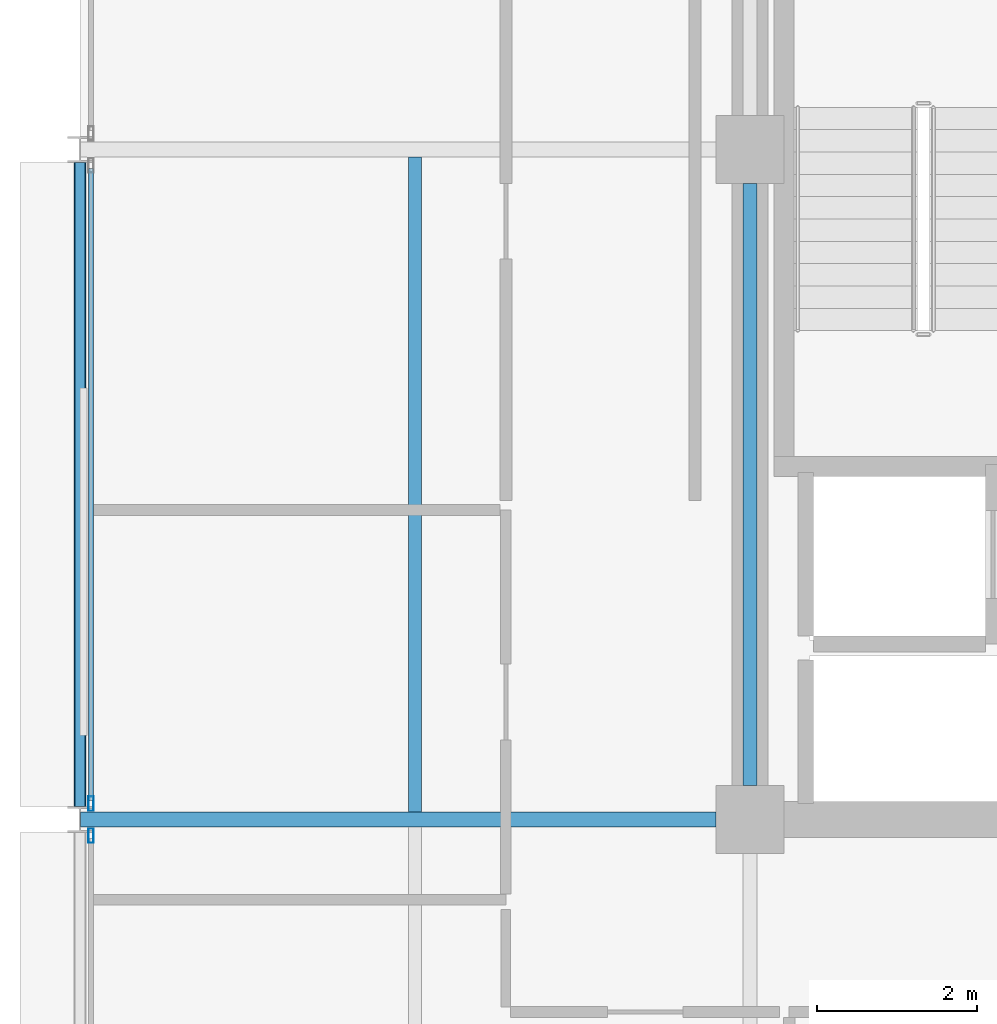
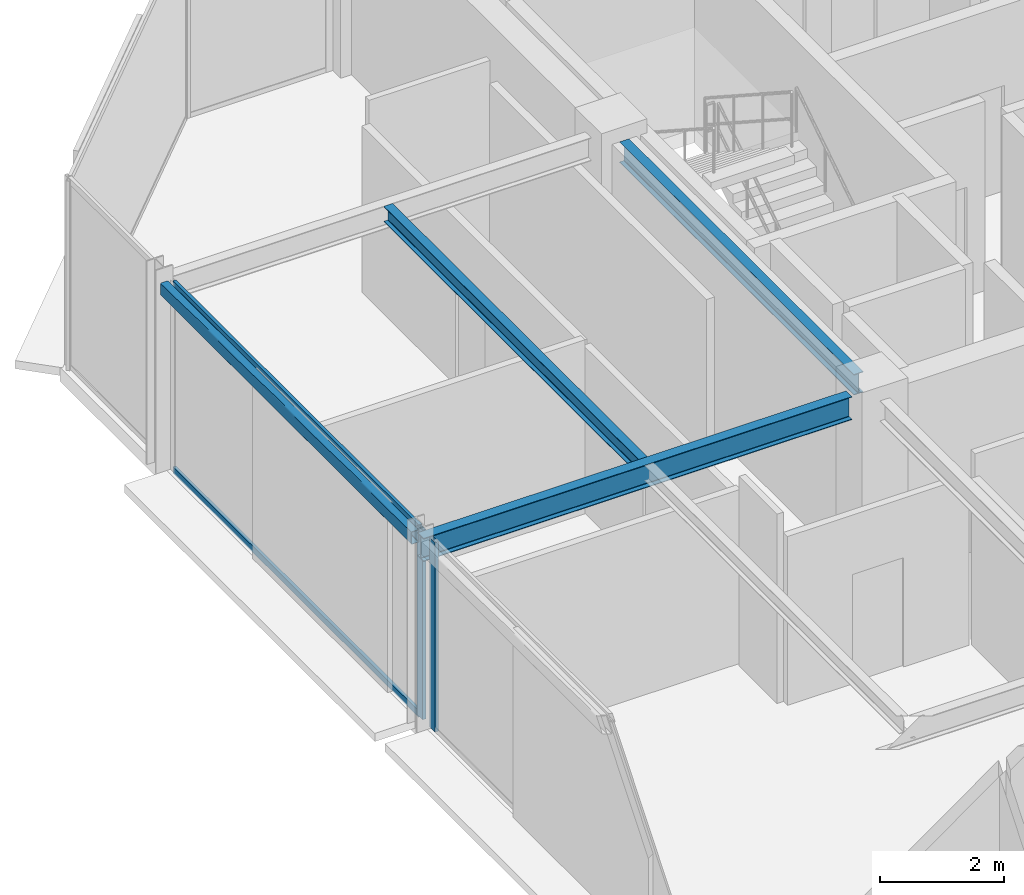
# One storey, part 11 of 25: 4 beams, 4 members, 2 elements without a shape of their own.
"""IFC4 building model written with IfcOpenShell, lengths in metres."""

import ifcopenshell
import ifcopenshell.guid

model = None  # the IFC model being written
_history = None  # IfcOwnerHistory: only IFC2X3 demands one
_inside = {}  # id of a spatial element -> (the spatial element, [elements in it])
_under = {}  # id of a project, library or spatial element -> (it, [spatial elements below it])
_declared = {}  # id of a project -> (the project, [libraries it declares])
_typed = {}  # id of a type object -> (the type object, [elements of that type])
_made_of = {}  # id of a material, layer set ... -> (it, [elements and type objects made of it])


def new_model(schema):
    """Start an empty IFC model of exactly this schema.

    Asked for "IFC4X3", IfcOpenShell would pick the latest addendum, in which some entities
    have other attributes; the version numbers below select the first issue.
    IFC2X3 requires an IfcOwnerHistory on every rooted entity: one is made here for all.
    """
    global model, _history
    if schema == "IFC4X3":
        model = ifcopenshell.file(schema_version=(4, 3, 0, 0))
    else:
        model = ifcopenshell.file(schema=schema)
    _inside.clear()
    _under.clear()
    _declared.clear()
    _typed.clear()
    _made_of.clear()
    _history = None
    if model.schema == "IFC2X3":
        org = make("IfcOrganization", Name="unknown")
        user = make(
            "IfcPersonAndOrganization",
            ThePerson=make("IfcPerson", FamilyName="unknown"),
            TheOrganization=org,
        )
        app = make(
            "IfcApplication",
            ApplicationDeveloper=org,
            Version="unknown",
            ApplicationFullName="unknown",
            ApplicationIdentifier="unknown",
        )
        _history = make(
            "IfcOwnerHistory",
            OwningUser=user,
            OwningApplication=app,
            ChangeAction="ADDED",
            CreationDate=0,
        )
    return model


def make(cls, **values):
    """One entity of the class cls with the attributes given. An attribute that is None is left unset."""
    return model.create_entity(
        cls, **{name: value for name, value in values.items() if value is not None}
    )


def rooted(cls, **values):
    """An entity with a GlobalId (a new one), such as an element, a storey or a relation."""
    return make(cls, GlobalId=ifcopenshell.guid.new(), OwnerHistory=_history, **values)


def si_unit(unit_type, name, prefix=None):
    """IfcSIUnit, for example si_unit("LENGTHUNIT", "METRE", prefix="MILLI")."""
    return make("IfcSIUnit", UnitType=unit_type, Prefix=prefix, Name=name)


def assignment(units):
    """IfcUnitAssignment: the units of a project."""
    return None if units is None else make("IfcUnitAssignment", Units=units)


def point(xyz):
    """IfcCartesianPoint."""
    return None if xyz is None else make("IfcCartesianPoint", Coordinates=xyz)


def direction(xyz):
    """IfcDirection."""
    return None if xyz is None else make("IfcDirection", DirectionRatios=xyz)


def frame(location, z_axis=None, x_axis=None):
    """IfcAxis2Placement3D, a coordinate frame: its origin and axes. An axis left out is left unset."""
    return make(
        "IfcAxis2Placement3D",
        Location=point(location),
        Axis=direction(z_axis),
        RefDirection=direction(x_axis),
    )


def frame_2d(location, x_axis=None):
    """IfcAxis2Placement2D, a coordinate frame in the plane: its origin and x axis."""
    return make(
        "IfcAxis2Placement2D", Location=point(location), RefDirection=direction(x_axis)
    )


def origin():
    """The frame at (0, 0, 0) with its axes left unset."""
    return frame((0.0, 0.0, 0.0))


def origin_2d():
    """The frame at (0, 0) in the plane with its x axis left unset."""
    return frame_2d((0.0, 0.0))


def place(relative_to, where):
    """IfcLocalPlacement: puts the frame where relative to a parent placement (None: the world)."""
    return make(
        "IfcLocalPlacement", PlacementRelTo=relative_to, RelativePlacement=where
    )


def context(
    kind, dimensions, precision=None, world=None, true_north=None, identifier=None
):
    """IfcGeometricRepresentationContext, for example the 3D "Model" context."""
    return make(
        "IfcGeometricRepresentationContext",
        ContextIdentifier=identifier,
        ContextType=kind,
        CoordinateSpaceDimension=dimensions,
        Precision=precision,
        WorldCoordinateSystem=world,
        TrueNorth=true_north,
    )


def subcontext(parent, identifier, kind, view, scale=None):
    """IfcGeometricRepresentationSubContext, for example "Body" below "Model"."""
    return make(
        "IfcGeometricRepresentationSubContext",
        ContextIdentifier=identifier,
        ContextType=kind,
        ParentContext=parent,
        TargetScale=scale,
        TargetView=view,
    )


def project(units=None, contexts=None):
    """IfcProject with its units and contexts."""
    return rooted(
        "IfcProject",
        Name="project",
        RepresentationContexts=contexts,
        UnitsInContext=assignment(units),
    )


def spatial(cls, under=None, at=None, **own):
    """A site, building, storey or space (cls), placed at a placement, below another one or the project."""
    s = rooted(cls, ObjectPlacement=at, **own)
    if under is not None:
        _under.setdefault(under.id(), (under, []))[1].append(s)
    return s


def profile(cls, at=None, kind="AREA", **sizes):
    """A parametric profile (cls). Its sizes go by their IFC names, for example OverallWidth=200.0."""
    return make(cls, ProfileType=kind, Position=at, **sizes)


def hollow_rectangle(**sizes):
    """IfcRectangleHollowProfileDef."""
    return profile("IfcRectangleHollowProfileDef", **sizes)


def i_section(**sizes):
    """IfcIShapeProfileDef."""
    return profile("IfcIShapeProfileDef", **sizes)


def extrude(swept, where, along, depth):
    """IfcExtrudedAreaSolid: the profile swept, set in the frame where, extruded along a direction by depth."""
    return make(
        "IfcExtrudedAreaSolid",
        SweptArea=swept,
        Position=where,
        ExtrudedDirection=direction(along),
        Depth=depth,
    )


def shape(context_of_items, identifier, shape_type, items):
    """IfcShapeRepresentation: the items that make up one representation, for example the "Body"."""
    return make(
        "IfcShapeRepresentation",
        ContextOfItems=context_of_items,
        RepresentationIdentifier=identifier,
        RepresentationType=shape_type,
        Items=items,
    )


def material(Name=None, Category=None):
    """IfcMaterial."""
    return make("IfcMaterial", Name=Name, Category=Category)


def layer(
    of_material, thickness, ventilated=None, Name=None, Category=None, Priority=None
):
    """IfcMaterialLayer: one layer of a wall or slab, of a material (None: an air gap)."""
    return make(
        "IfcMaterialLayer",
        Material=of_material,
        LayerThickness=thickness,
        IsVentilated=ventilated,
        Name=Name,
        Category=Category,
        Priority=Priority,
    )


def layer_set(layers, Name=None):
    """IfcMaterialLayerSet."""
    return make("IfcMaterialLayerSet", MaterialLayers=layers, LayerSetName=Name)


def material_profile(
    of_material, cross_section, Name=None, Category=None, Priority=None
):
    """IfcMaterialProfile: a cross section and its material."""
    return make(
        "IfcMaterialProfile",
        Name=Name,
        Material=of_material,
        Profile=cross_section,
        Priority=Priority,
        Category=Category,
    )


def profile_set(profiles, Name=None, composite=None):
    """IfcMaterialProfileSet."""
    return make(
        "IfcMaterialProfileSet",
        Name=Name,
        MaterialProfiles=profiles,
        CompositeProfile=composite,
    )


def made_of(thing, what):
    """Note that an element or type object is made of a material, layer set ...; save() writes the relation."""
    if what is not None:
        _made_of.setdefault(what.id(), (what, []))[1].append(thing)
    return thing


def type_object(cls, material=None, **own):
    """A type object (cls), such as IfcWallType, which elements share."""
    return made_of(rooted(cls, **own), material)


def element(
    cls,
    number,
    at=None,
    inside=None,
    cuts=None,
    type_object=None,
    material=None,
    context=None,
    identifier="Body",
    shape_type=None,
    held_by="IfcProductDefinitionShape",
    body=None,
    shapes=None,
    **own,
):
    """One element of the class cls, such as IfcWall. Its Tag is "e" and its number.

    at: its placement. inside: the storey or other place that contains it. cuts: it is an
    opening in that element (IfcRelVoidsElement). A single representation is given by context,
    identifier, shape_type and body (its items); several are given by shapes. held_by: the class
    of the entity that holds the representations. save() writes the other relations.
    """
    e = rooted(cls, Tag="e%d" % number, ObjectPlacement=at, **own)
    if body is not None:
        shapes = [shape(context, identifier, shape_type, body)]
    if shapes is not None:
        e.Representation = make(held_by, Representations=shapes)
    if inside is not None:
        _inside.setdefault(inside.id(), (inside, []))[1].append(e)
    if cuts is not None:
        rooted(
            "IfcRelVoidsElement", RelatingBuildingElement=cuts, RelatedOpeningElement=e
        )
    if type_object is not None:
        _typed.setdefault(type_object.id(), (type_object, []))[1].append(e)
    return made_of(e, material)


def aggregate(whole, parts):
    """IfcRelAggregates: a whole, such as a stair, and the parts it consists of."""
    return rooted("IfcRelAggregates", RelatingObject=whole, RelatedObjects=parts)


def save(model, path):
    """Write the relations noted so far, then the file.

    IfcRelAggregates (storeys below a building ...), IfcRelContainedInSpatialStructure (elements
    in a storey), IfcRelDefinesByType, IfcRelAssociatesMaterial and IfcRelDeclares: one each for
    every whole, place, type object, material and project.
    """
    for whole, parts in _under.values():
        aggregate(whole, parts)
    for where, things in _inside.values():
        rooted(
            "IfcRelContainedInSpatialStructure",
            RelatedElements=things,
            RelatingStructure=where,
        )
    for kind, things in _typed.values():
        rooted("IfcRelDefinesByType", RelatedObjects=things, RelatingType=kind)
    for what, things in _made_of.values():
        rooted("IfcRelAssociatesMaterial", RelatedObjects=things, RelatingMaterial=what)
    for by, libraries in _declared.values():
        rooted("IfcRelDeclares", RelatingContext=by, RelatedDefinitions=libraries)
    model.write(path)


model = new_model("IFC4")

# Units and contexts
model_context = context("Model", 3, precision=1e-05, world=origin(), true_north=direction((0.0, 1.0)))
body_context = subcontext(model_context, "Body", "Model", "MODEL_VIEW")
ifc_project = project(units=[si_unit("LENGTHUNIT", "METRE"), si_unit("AREAUNIT", "SQUARE_METRE"), si_unit("VOLUMEUNIT", "CUBIC_METRE"), si_unit("PLANEANGLEUNIT", "RADIAN"), si_unit("MASSUNIT", "GRAM", prefix="KILO")], contexts=[model_context])

# Site, building, storey
site_placement = place(None, origin())
site = spatial("IfcSite", under=ifc_project, at=site_placement, CompositionType="ELEMENT")
building_placement = place(site_placement, origin())
building = spatial("IfcBuilding", under=site, at=building_placement, Name="Nerrivon Quay Data Exchange", CompositionType="ELEMENT")
storey_placement = place(building_placement, frame((0.0, 0.0, 302.199951171875)))
storey = spatial("IfcBuildingStorey", under=building, at=storey_placement, Name="L72", CompositionType="ELEMENT", Elevation=302.199951171875)

# Beams
ifc_material_1 = material(Name="Steel Grade 350", Category="steel")
ifc_material_profile_1 = material_profile(ifc_material_1, i_section(OverallWidth=0.18994140625, OverallDepth=0.4541015625, WebThickness=0.008544921875, FlangeThickness=0.0126953125, FilletRadius=0.011474609375, at=origin_2d()), Name="460UB67.1")
ifc_profile_set_1 = profile_set([ifc_material_profile_1], Name="Steel Grade 350")
beam_type_1 = type_object("IfcBeamType", Name="BM-G6-460UB67", PredefinedType="BEAM", material=ifc_profile_set_1)
beam_1_placement = place(storey_placement, frame((0.0078125, 25.199951171875, 3.498046875), z_axis=(1.0, 0.0, 0.0), x_axis=(0.0, 1.0, 0.0)))
element("IfcBeam", 1, at=beam_1_placement, inside=storey, type_object=beam_type_1, Name="L72 EW Girder Y=25.2 (0.0..8.4)", PredefinedType="BEAM", context=body_context, shape_type="SweptSolid", body=[
    extrude(i_section(OverallWidth=0.18994140625, OverallDepth=0.4541015625, WebThickness=0.008544921875, FlangeThickness=0.0126953125, FilletRadius=0.011474609375, at=origin_2d()), origin(), (0.0, 0.0, 1.0), 7.96728515625),
])
ifc_material_profile_2 = material_profile(ifc_material_1, i_section(OverallWidth=0.177978515625, OverallDepth=0.406005859375, WebThickness=0.0078125, FlangeThickness=0.0126953125, FilletRadius=0.011474609375, at=origin_2d()), Name="410UB59.7")
ifc_profile_set_2 = profile_set([ifc_material_profile_2], Name="Steel Grade 350")
beam_type_2 = type_object("IfcBeamType", Name="BM-J1-410UB60", PredefinedType="JOIST", material=ifc_profile_set_2)
beam_2_placement = place(storey_placement, frame((8.39990234375, 25.625, 3.52197265625), z_axis=(0.0, 1.0, 0.0), x_axis=(-1.0, 0.0, 0.0)))
element("IfcBeam", 2, at=beam_2_placement, inside=storey, type_object=beam_type_2, Name="L72 NS Girder X=8.4 (25.2..33.6)", PredefinedType="JOIST", context=body_context, shape_type="SweptSolid", body=[
    extrude(i_section(OverallWidth=0.177978515625, OverallDepth=0.406005859375, WebThickness=0.0078125, FlangeThickness=0.0126953125, FilletRadius=0.011474609375, at=origin_2d()), origin(), (0.0, 0.0, 1.0), 7.550048828125),
])
ifc_material_profile_3 = material_profile(ifc_material_1, i_section(OverallWidth=0.1650390625, OverallDepth=0.303955078125, WebThickness=0.006103515625, FlangeThickness=0.01025390625, FilletRadius=0.011474609375, at=origin_2d()), Name="310UB40.4")
ifc_profile_set_3 = profile_set([ifc_material_profile_3], Name="Steel Grade 350")
beam_type_3 = type_object("IfcBeamType", Name="BM-J6-310UB40", PredefinedType="JOIST", material=ifc_profile_set_3)
beam_3_placement = place(storey_placement, frame((4.199951171875, 25.294921875, 3.572998046875), z_axis=(0.0, 1.0, 0.0), x_axis=(-1.0, 0.0, 0.0)))
element("IfcBeam", 3, at=beam_3_placement, inside=storey, type_object=beam_type_3, Name="L72 Secondary Joist X=4.2 (25.2..33.6)", PredefinedType="JOIST", context=body_context, shape_type="SweptSolid", body=[
    extrude(i_section(OverallWidth=0.1650390625, OverallDepth=0.303955078125, WebThickness=0.006103515625, FlangeThickness=0.01025390625, FilletRadius=0.011474609375, at=origin_2d()), origin(), (0.0, 0.0, 1.0), 8.2099609375),
])
ifc_material_2 = material(Name="Steel Grade C350L0 (350 MPa)", Category="steel")
ifc_material_profile_4 = material_profile(ifc_material_2, hollow_rectangle(XDim=0.14990234375, YDim=0.25, WallThickness=0.009033203125, InnerFilletRadius=0.013427734375, OuterFilletRadius=0.0224609375, at=origin_2d()), Name="250x150x9.0RHS")
ifc_profile_set_4 = profile_set([ifc_material_profile_4], Name="Steel Grade C350L0 (350 MPa)")
beam_type_4 = type_object("IfcBeamType", Name="BM-SP4-250x150RHS", PredefinedType="SPANDREL", material=ifc_profile_set_4)
beam_4_placement = place(storey_placement, frame((0.0, 25.363525390625, 3.60009765625), z_axis=(0.0, 1.0, 0.0), x_axis=(-1.0, 0.0, 0.0)))
element("IfcBeam", 4, at=beam_4_placement, inside=storey, type_object=beam_type_4, Name="L72 NS Girder X=0.0 (25.2..33.6)", PredefinedType="SPANDREL", context=body_context, shape_type="SweptSolid", body=[
    extrude(hollow_rectangle(XDim=0.14990234375, YDim=0.25, WallThickness=0.009033203125, InnerFilletRadius=0.013427734375, OuterFilletRadius=0.0224609375, at=origin_2d()), origin(), (0.0, 0.0, 1.0), 8.072998046875),
])

# Curtain wall, member
ifc_material_3 = material(Name="Anodised aluminium 6063-T6", Category="aluminium")
ifc_layer = layer(ifc_material_3, 0.195068359375)
ifc_layer_set = layer_set([ifc_layer], Name="Anodised aluminium 6063-T6")
curtain_wall_type = type_object("IfcCurtainWallType", Name="CW-SYS-06", PredefinedType="NOTDEFINED", material=ifc_layer_set)
curtain_wall_1_placement = place(storey_placement, origin())
curtain_wall_1 = element("IfcCurtainWall", 5, at=curtain_wall_1_placement, inside=storey, type_object=curtain_wall_type, Name="L72 Unitised Curtain Wall 10", PredefinedType="NOTDEFINED")
ifc_material_profile_5 = material_profile(ifc_material_3, hollow_rectangle(XDim=0.06494140625, YDim=0.179931640625, WallThickness=0.00341796875, at=origin_2d()), Name="ALU-MULL-180x65")
ifc_profile_set_5 = profile_set([ifc_material_profile_5], Name="Anodised aluminium 6063-T6")
member_type_1 = type_object("IfcMemberType", Name="CWM-180x65", PredefinedType="MULLION", material=ifc_profile_set_5)
member_1_placement = place(storey_placement, frame((0.139892578125, 24.9990234375, 0.0), z_axis=(0.0, 0.0, 1.0), x_axis=(-1.0, 0.0, 0.0)))
member_1 = element("IfcMember", 6, at=member_1_placement, type_object=member_type_1, Name="CW06 mullion 2", PredefinedType="MULLION", context=body_context, shape_type="SweptSolid", body=[
    extrude(hollow_rectangle(XDim=0.06494140625, YDim=0.179931640625, WallThickness=0.00341796875, at=origin_2d()), origin(), (0.0, 0.0, 1.0), 3.72509765625),
])
aggregate(curtain_wall_1, [member_1])

# Curtain wall, members
curtain_wall_2_placement = place(storey_placement, origin())
curtain_wall_2 = element("IfcCurtainWall", 7, at=curtain_wall_2_placement, inside=storey, type_object=curtain_wall_type, Name="L72 Unitised Curtain Wall 11", PredefinedType="NOTDEFINED")
member_2_placement = place(storey_placement, frame((0.139892578125, 25.40087890625, 0.0), z_axis=(0.0, 0.0, 1.0), x_axis=(-1.0, 0.0, 0.0)))
member_2 = element("IfcMember", 8, at=member_2_placement, type_object=member_type_1, Name="CW06 mullion 1", PredefinedType="MULLION", context=body_context, shape_type="SweptSolid", body=[
    extrude(hollow_rectangle(XDim=0.06494140625, YDim=0.179931640625, WallThickness=0.00341796875, at=origin_2d()), origin(), (0.0, 0.0, 1.0), 3.72509765625),
])
ifc_material_profile_6 = material_profile(ifc_material_3, hollow_rectangle(XDim=0.06005859375, YDim=0.1201171875, WallThickness=0.003173828125, at=origin_2d()), Name="ALU-TRAN-120x60")
ifc_profile_set_6 = profile_set([ifc_material_profile_6], Name="Anodised aluminium 6063-T6")
member_type_2 = type_object("IfcMemberType", Name="CWT-120x60", PredefinedType="USERDEFINED", material=ifc_profile_set_6)
member_3_placement = place(storey_placement, frame((0.139892578125, 25.4384765625, 0.032470703125), z_axis=(0.0, 1.0, 0.0), x_axis=(-1.0, 0.0, 0.0)))
member_3 = element("IfcMember", 9, at=member_3_placement, type_object=member_type_2, Name="CW06 transom 1.1", ObjectType="TRANSOM", PredefinedType="USERDEFINED", context=body_context, shape_type="SweptSolid", body=[
    extrude(hollow_rectangle(XDim=0.06005859375, YDim=0.1201171875, WallThickness=0.003173828125, at=origin_2d()), origin(), (0.0, 0.0, 1.0), 7.923095703125),
])
member_4_placement = place(storey_placement, frame((0.139892578125, 25.4384765625, 3.692626953125), z_axis=(0.0, 1.0, 0.0), x_axis=(-1.0, 0.0, 0.0)))
member_4 = element("IfcMember", 10, at=member_4_placement, type_object=member_type_2, Name="CW06 transom 1.2", ObjectType="TRANSOM", PredefinedType="USERDEFINED", context=body_context, shape_type="SweptSolid", body=[
    extrude(hollow_rectangle(XDim=0.06005859375, YDim=0.1201171875, WallThickness=0.003173828125, at=origin_2d()), origin(), (0.0, 0.0, 1.0), 7.923095703125),
])
aggregate(curtain_wall_2, [member_2, member_3, member_4])

save(model, "model.ifc")
